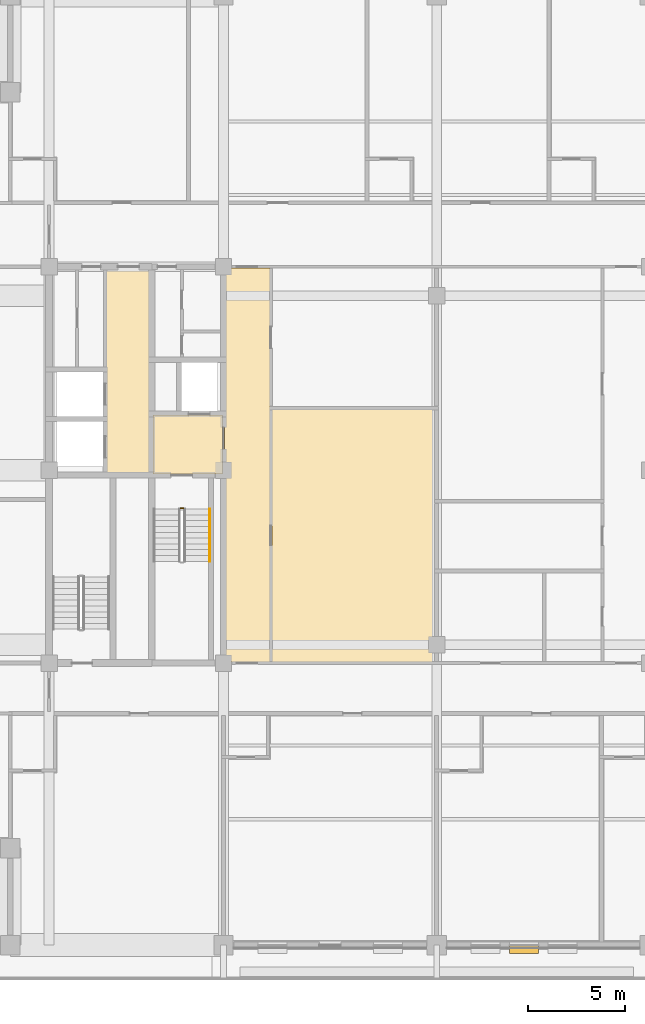
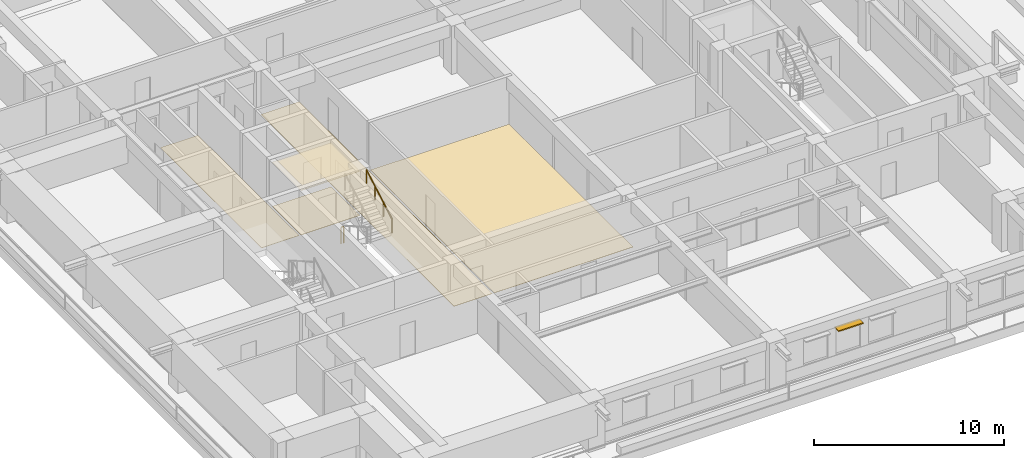
# One storey, part 15 of 18: 5 coverings, 2 railings, 1 shading device.
"""IFC4 building model written with IfcOpenShell, lengths in metres."""

from ifc_helpers import new_model, si_unit, direction, frame, frame_2d, origin, origin_2d, place, context, subcontext, project, spatial, polyline, rectangle, outline, extrude, material, layer, layer_set, type_object, element, save


model = new_model("IFC4")

# Units and contexts
model_context = context("Model", 3, precision=1e-05, world=origin(), true_north=direction((0.0, 1.0)))
body_context = subcontext(model_context, "Body", "Model", "MODEL_VIEW")
ifc_project = project(units=[si_unit("LENGTHUNIT", "METRE"), si_unit("AREAUNIT", "SQUARE_METRE"), si_unit("VOLUMEUNIT", "CUBIC_METRE"), si_unit("PLANEANGLEUNIT", "RADIAN"), si_unit("MASSUNIT", "GRAM", prefix="KILO")], contexts=[model_context])

# Site, building, storey
site_placement = place(None, origin())
site = spatial("IfcSite", under=ifc_project, at=site_placement, CompositionType="ELEMENT")
building_placement = place(site_placement, origin())
building = spatial("IfcBuilding", under=site, at=building_placement, Name="Zulmaris Gate Convention Tower", CompositionType="ELEMENT")
storey_placement = place(building_placement, frame((0.0, 0.0, 191.4599609375)))
storey = spatial("IfcBuildingStorey", under=building, at=storey_placement, Name="L49", CompositionType="ELEMENT", Elevation=191.4599609375)

# Coverings
ifc_material_1 = material(Name="Mineral Fibre Acoustic Ceiling Tile")
ifc_layer_1 = layer(ifc_material_1, 0.02001953125, Name="Mineral Fibre Acoustic Ceiling Tile")
ifc_layer_set_1 = layer_set([ifc_layer_1], Name="Mineral Fibre Acoustic Ceiling Tile")
covering_type_1 = type_object("IfcCoveringType", Name="CLG-ACOUSTIC-600", PredefinedType="CEILING", material=ifc_layer_set_1)
covering_1_placement = place(storey_placement, frame((0.0, 0.0, 2.844970703125)))
element("IfcCovering", 1, at=covering_1_placement, inside=storey, type_object=covering_type_1, Name="CLG-L49-R03", PredefinedType="CEILING", context=body_context, shape_type="SweptSolid", body=[
    extrude(outline(polyline([(-14.639892578125, -0.18994140625), (-11.06005859375, -0.18994140625), (-11.06005859375, 2.840087890625), (-14.639892578125, 2.840087890625), (-14.639892578125, -0.18994140625)])), origin(), (0.0, 0.0, 1.0), 0.02001953125),
])
ifc_material_2 = material(Name="Woven Acoustic Wool Carpet Tile")
ifc_layer_2 = layer(ifc_material_2, 0.02001953125, Name="Woven Acoustic Wool Carpet Tile")
ifc_layer_set_2 = layer_set([ifc_layer_2], Name="Woven Acoustic Wool Carpet Tile")
covering_type_2 = type_object("IfcCoveringType", Name="FLR-CARPET-12", PredefinedType="FLOORING", material=ifc_layer_set_2)
covering_2_placement = place(storey_placement, origin())
element("IfcCovering", 2, at=covering_2_placement, inside=storey, type_object=covering_type_2, Name="FLR-L49-R03", PredefinedType="FLOORING", context=body_context, shape_type="SweptSolid", body=[
    extrude(outline(polyline([(-14.639892578125, -0.18994140625), (-11.06005859375, -0.18994140625), (-11.06005859375, 2.840087890625), (-14.639892578125, 2.840087890625), (-14.639892578125, -0.18994140625)])), origin(), (0.0, 0.0, 1.0), 0.02001953125),
])
covering_3_placement = place(storey_placement, origin())
element("IfcCovering", 3, at=covering_3_placement, inside=storey, type_object=covering_type_2, Name="FLR-L49-R21", PredefinedType="FLOORING", context=body_context, shape_type="SweptSolid", body=[
    extrude(outline(polyline([(-17.0400390625, -0.18994140625), (-14.760009765625, -0.18994140625), (-14.760009765625, 10.43994140625), (-17.0400390625, 10.43994140625), (-17.0400390625, -0.18994140625)])), origin(), (0.0, 0.0, 1.0), 0.02001953125),
])
covering_4_placement = place(storey_placement, origin())
element("IfcCovering", 4, at=covering_4_placement, inside=storey, type_object=covering_type_2, Name="FLR-L49-R35", PredefinedType="FLOORING", context=body_context, shape_type="SweptSolid", body=[
    extrude(outline(polyline([(-10.93994140625, -9.889892578125), (-8.610107421875, -9.889892578125), (-8.610107421875, 10.43994140625), (-10.93994140625, 10.43994140625), (-10.93994140625, -9.889892578125)])), origin(), (0.0, 0.0, 1.0), 0.02001953125),
])
covering_5_placement = place(storey_placement, origin())
element("IfcCovering", 5, at=covering_5_placement, inside=storey, type_object=covering_type_2, Name="FLR-L49-R53", PredefinedType="FLOORING", context=body_context, shape_type="SweptSolid", body=[
    extrude(outline(polyline([(-8.489990234375, -9.889892578125), (-0.06005859375, -9.889892578125), (-0.06005859375, 3.139892578125), (-8.489990234375, 3.139892578125), (-8.489990234375, -9.889892578125)])), origin(), (0.0, 0.0, 1.0), 0.02001953125),
])

# Railings
ifc_material_3 = material(Name="Painted Galvanised Steel", Category="steel")
railing_type_1 = type_object("IfcRailingType", Name="RL-STG-1150", PredefinedType="GUARDRAIL", material=ifc_material_3)
railing_1_placement = place(storey_placement, frame((-13.219970703125, -1.949951171875, 0.0)))
element("IfcRailing", 6, at=railing_1_placement, inside=storey, type_object=railing_type_1, Name="L49 ST-1 stair guard 4", PredefinedType="GUARDRAIL", context=body_context, shape_type="SweptSolid", body=[
    extrude(rectangle(XDim=0.048095703125, YDim=0.048095703125, at=origin_2d()), frame((0.0, 0.0, 1.076171875), z_axis=(1.0, 0.0, 0.0), x_axis=(0.0, 1.0, 0.0)), (0.0, 0.0, 1.0), 0.159912109375),
    extrude(rectangle(XDim=0.0419921875, YDim=0.0419921875, at=origin_2d()), origin(), (0.0, 0.0, 1.0), 1.052001953125),
    extrude(rectangle(XDim=0.0419921875, YDim=0.0419921875, at=origin_2d()), frame((0.159912109375, 0.0, 0.0)), (0.0, 0.0, 1.0), 1.052001953125),
])
ifc_material_4 = material(Name="Brushed Stainless Steel", Category="steel")
railing_type_2 = type_object("IfcRailingType", Name="RL-STH-900", PredefinedType="HANDRAIL", material=ifc_material_4)
railing_2_placement = place(storey_placement, frame((-11.7099609375, -4.699951171875, 1.869873046875)))
element("IfcRailing", 7, at=railing_2_placement, inside=storey, type_object=railing_type_2, Name="L49 ST-1 stair handrail 2", PredefinedType="HANDRAIL", context=body_context, shape_type="SweptSolid", body=[
    extrude(rectangle(XDim=0.048095703125, YDim=0.048095703125, at=origin_2d()), frame((0.0, 0.0, 0.8759765625), z_axis=(0.0, 0.870014312096, 0.49302646658), x_axis=(-1.0, 0.0, 0.0)), (0.0, 0.0, 1.0), 3.103271484375),
    extrude(rectangle(XDim=0.0419921875, YDim=0.0419921875, at=origin_2d()), origin(), (0.0, 0.0, 1.0), 0.851806640625),
    extrude(rectangle(XDim=0.0419921875, YDim=0.0419921875, at=origin_2d()), frame((0.0, 0.89990234375, 0.510009765625)), (0.0, 0.0, 1.0), 0.851806640625),
    extrude(rectangle(XDim=0.0419921875, YDim=0.0419921875, at=origin_2d()), frame((0.0, 1.800048828125, 1.02001953125)), (0.0, 0.0, 1.0), 0.851806640625),
    extrude(rectangle(XDim=0.0419921875, YDim=0.0419921875, at=origin_2d()), frame((0.0, 2.699951171875, 1.530029296875)), (0.0, 0.0, 1.0), 0.851806640625),
])

# Shading device
ifc_material_5 = material(Name="Glazed Ceramic Terracotta", Category="masonry")
ifc_layer_3 = layer(ifc_material_5, 0.070068359375, Name="Glazed Ceramic Terracotta")
ifc_layer_set_3 = layer_set([ifc_layer_3], Name="Glazed Ceramic Terracotta")
shading_device_type = type_object("IfcShadingDeviceType", Name="SHD-SUNSHADE-TC", PredefinedType="AWNING", material=ifc_layer_set_3)
shading_device_placement = place(storey_placement, frame((3.756103515625, -24.719970703125, 2.35009765625), z_axis=(0.0, 0.0, 1.0), x_axis=(1.0, 0.0, 0.0)))
element("IfcShadingDevice", 8, at=shading_device_placement, inside=storey, type_object=shading_device_type, Name="SHD-EW-L49-S-2_0-2", PredefinedType="AWNING", context=body_context, shape_type="SweptSolid", body=[
    extrude(rectangle(XDim=1.5, YDim=0.43994140625, at=frame_2d((0.75, 0.0))), origin(), (0.0, 0.0, 1.0), 0.06982421875),
])

save(model, "model.ifc")
